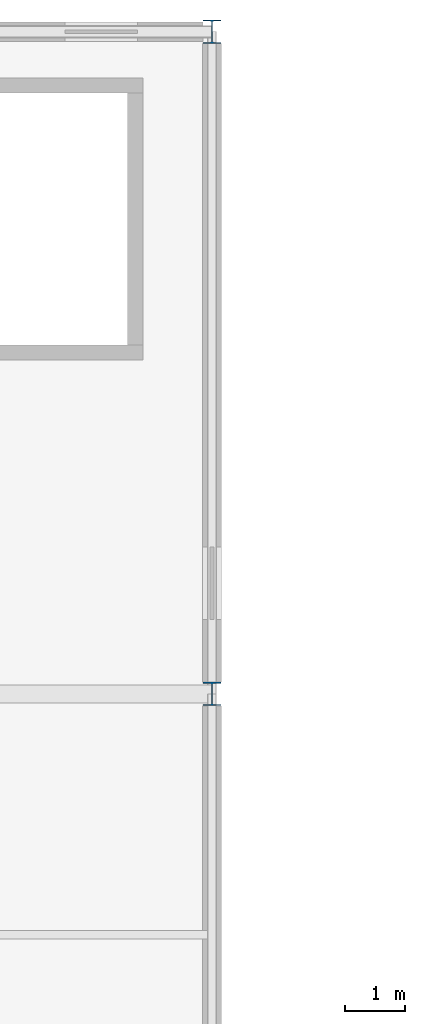
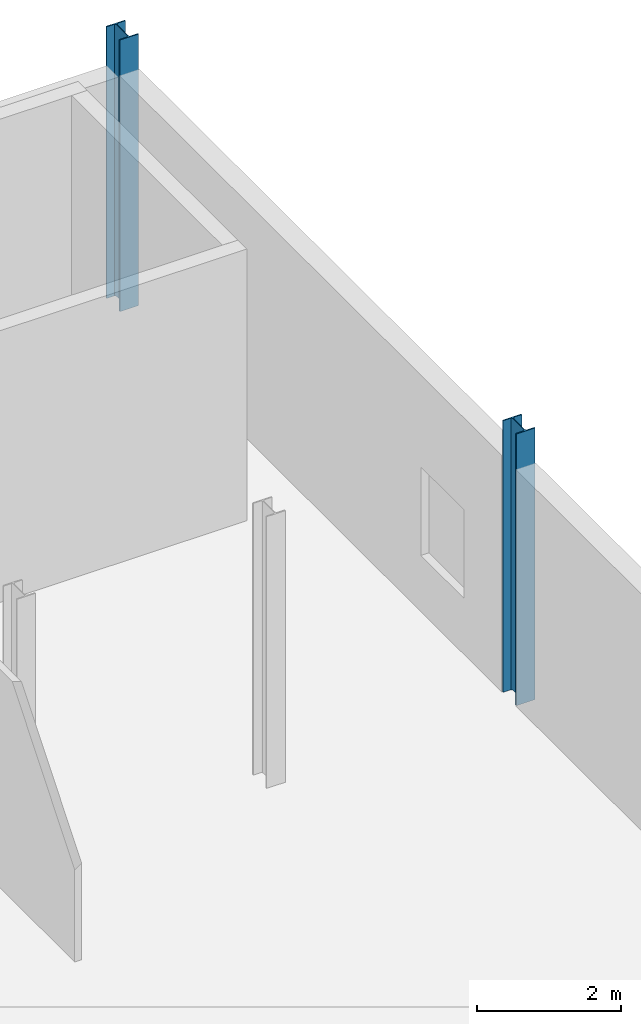
# One storey, part 9 of 67: 2 columns.
"""IFC4 building model written with IfcOpenShell, lengths in metres."""

from ifc_helpers import new_model, si_unit, derived_unit, direction, frame, origin, origin_2d, place, context, subcontext, project, spatial, i_section, extrude, material, material_profile, profile_set, type_object, element, save


model = new_model("IFC4")

# Units and contexts
model_context = context("Model", 3, precision=1e-05, world=origin(), true_north=direction((0.0, 1.0)))
body_context = subcontext(model_context, "Body", "Model", "MODEL_VIEW")
ifc_project = project(units=[si_unit("LENGTHUNIT", "METRE"), si_unit("AREAUNIT", "SQUARE_METRE"), si_unit("VOLUMEUNIT", "CUBIC_METRE"), si_unit("PLANEANGLEUNIT", "RADIAN"), si_unit("MASSUNIT", "GRAM", prefix="KILO"), derived_unit("THERMALTRANSMITTANCEUNIT", [(si_unit("POWERUNIT", "WATT"), 1), (si_unit("LENGTHUNIT", "METRE"), -2), (si_unit("THERMODYNAMICTEMPERATUREUNIT", "KELVIN"), -1)])], contexts=[model_context])

# Site, building, storey
site_placement = place(None, origin())
site = spatial("IfcSite", under=ifc_project, at=site_placement, CompositionType="ELEMENT")
building_placement = place(site_placement, origin())
building = spatial("IfcBuilding", under=site, at=building_placement, Name="Keldorne Ridge Multi-Sports Centre", CompositionType="ELEMENT")
storey_placement = place(building_placement, frame((0.0, 0.0, 14.0)))
storey = spatial("IfcBuildingStorey", under=building, at=storey_placement, Name="L03", CompositionType="ELEMENT", Elevation=14.0)

# Columns
ifc_material = material(Name="Steel S355", Category="steel")
ifc_material_profile = material_profile(ifc_material, i_section(OverallWidth=0.300048828125, OverallDepth=0.389892578125, WebThickness=0.010986328125, FlangeThickness=0.01904296875, FilletRadius=0.027099609375, at=origin_2d()), Name="HEA 400")
ifc_profile_set = profile_set([ifc_material_profile], Name="Steel S355")
column_type = type_object("IfcColumnType", Name="COL-C-15", PredefinedType="COLUMN", material=ifc_profile_set)
for number, where, z_axis, x_axis, name in (
    (1, (152.0, 106.0, 0.0), (0.0, 0.0, 1.0), (1.0, 0.0, 0.0), "Structural column V5-C-11-06 on L03"),
    (2, (152.0, 117.0, 0.0), (0.0, 0.0, 1.0), (1.0, 0.0, 0.0), "Structural column V5-C-11-07 on L03"),
):
    element("IfcColumn", number, at=place(storey_placement, frame(where, z_axis=z_axis, x_axis=x_axis)), inside=storey, type_object=column_type, Name=name, PredefinedType="COLUMN", context=body_context, shape_type="SweptSolid", body=[
        extrude(i_section(OverallWidth=0.300048828125, OverallDepth=0.389892578125, WebThickness=0.010986328125, FlangeThickness=0.01904296875, FilletRadius=0.027099609375, at=origin_2d()), origin(), (0.0, 0.0, 1.0), 4.60009765625),
    ])

save(model, "model.ifc")
